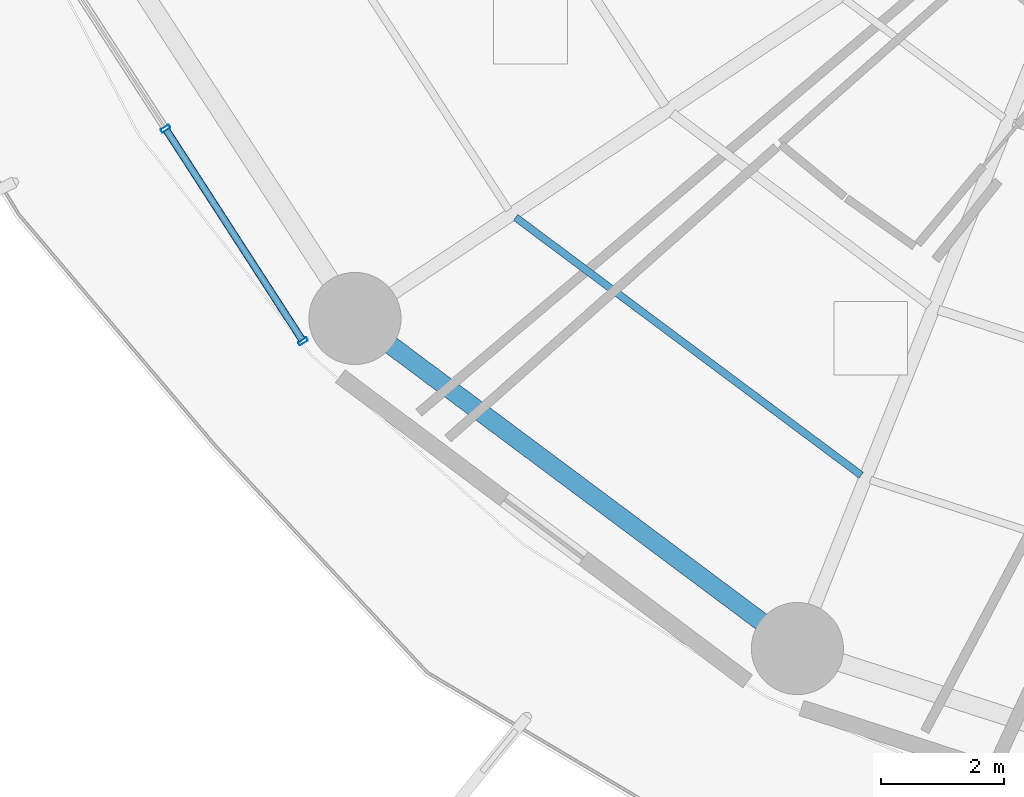
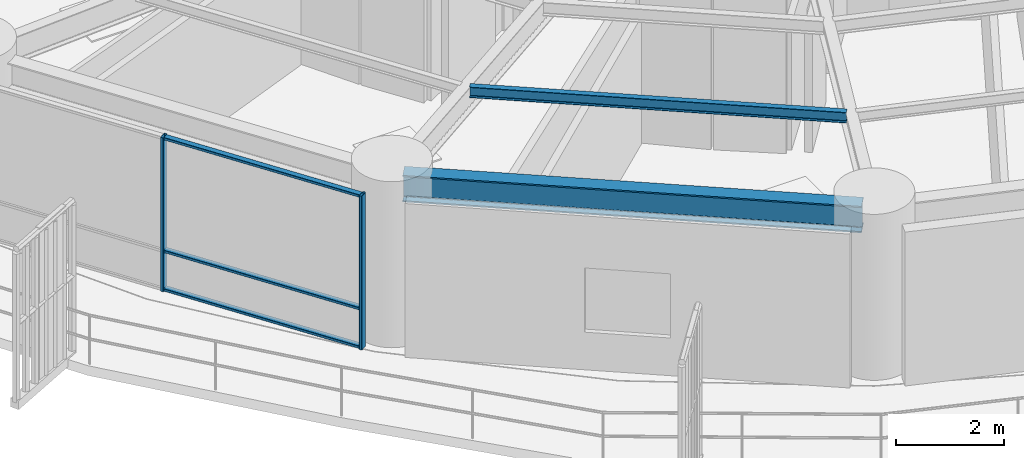
# One storey, part 2 of 33: 5 members, 2 beams, 1 element without a shape of its own.
"""IFC4 building model written with IfcOpenShell, lengths in metres."""

from ifc_helpers import new_model, si_unit, direction, frame, origin, origin_2d, place, context, subcontext, project, spatial, hollow_rectangle, i_section, extrude, material, layer, layer_set, material_profile, profile_set, type_object, element, aggregate, save


model = new_model("IFC4")

# Units and contexts
model_context = context("Model", 3, precision=1e-05, world=origin(), true_north=direction((0.0, 1.0)))
body_context = subcontext(model_context, "Body", "Model", "MODEL_VIEW")
ifc_project = project(units=[si_unit("LENGTHUNIT", "METRE"), si_unit("AREAUNIT", "SQUARE_METRE"), si_unit("VOLUMEUNIT", "CUBIC_METRE"), si_unit("PLANEANGLEUNIT", "RADIAN"), si_unit("MASSUNIT", "GRAM", prefix="KILO")], contexts=[model_context])

# Site, building, storey
site_placement = place(None, origin())
site = spatial("IfcSite", under=ifc_project, at=site_placement, CompositionType="ELEMENT")
building_placement = place(site_placement, origin())
building = spatial("IfcBuilding", under=site, at=building_placement, Name="Kelanora Arch Commons", CompositionType="ELEMENT")
storey_placement = place(building_placement, frame((0.0, 0.0, 37.5)))
storey = spatial("IfcBuildingStorey", under=building, at=storey_placement, Name="L09", CompositionType="ELEMENT", Elevation=37.5)

# Beams
ifc_material_1 = material(Name="Steel S355", Category="steel")
ifc_material_profile_1 = material_profile(ifc_material_1, i_section(OverallWidth=0.1201171875, OverallDepth=0.239990234375, WebThickness=0.006103515625, FlangeThickness=0.009765625, FilletRadius=0.014892578125, at=origin_2d()), Name="IPE240")
ifc_profile_set_1 = profile_set([ifc_material_profile_1], Name="Steel S355")
beam_type_1 = type_object("IfcBeamType", Name="BM-JST-02", PredefinedType="JOIST", material=ifc_profile_set_1)
beam_1_placement = place(storey_placement, frame((55.87255859375, 44.16650390625, 3.3701171875), z_axis=(0.80149131963, -0.598006408459, 0.0), x_axis=(0.598006408459, 0.80149131963, 0.0)))
element("IfcBeam", 1, at=beam_1_placement, inside=storey, type_object=beam_type_1, Name="Secondary Chord Joist BJC-22 L09", PredefinedType="JOIST", context=body_context, shape_type="SweptSolid", body=[
    extrude(i_section(OverallWidth=0.1201171875, OverallDepth=0.239990234375, WebThickness=0.006103515625, FlangeThickness=0.009765625, FilletRadius=0.014892578125, at=origin_2d()), origin(), (0.0, 0.0, 1.0), 7.021240234375),
])
ifc_material_profile_2 = material_profile(ifc_material_1, i_section(OverallWidth=0.300048828125, OverallDepth=0.60009765625, WebThickness=0.015380859375, FlangeThickness=0.030029296875, FilletRadius=0.027099609375, at=origin_2d()), Name="HEB600")
ifc_profile_set_2 = profile_set([ifc_material_profile_2], Name="Steel S355")
beam_type_2 = type_object("IfcBeamType", Name="BM-SPN-Z1", PredefinedType="SPANDREL", material=ifc_profile_set_2)
beam_2_placement = place(storey_placement, frame((53.431884765625, 42.39013671875, 3.18994140625), z_axis=(0.801474585329, -0.598028836322, 0.0), x_axis=(0.598028836322, 0.801474585329, 0.0)))
element("IfcBeam", 2, at=beam_2_placement, inside=storey, type_object=beam_type_2, Name="Perimeter Spandrel Beam BS-22 L09", PredefinedType="SPANDREL", context=body_context, shape_type="SweptSolid", body=[
    extrude(i_section(OverallWidth=0.300048828125, OverallDepth=0.60009765625, WebThickness=0.015380859375, FlangeThickness=0.030029296875, FilletRadius=0.027099609375, at=origin_2d()), origin(), (0.0, 0.0, 1.0), 8.549072265625),
])

# Curtain wall, members
ifc_material_2 = material(Name="Terracotta ceramic-fritted low-E glass and aluminium", Category="masonry")
ifc_layer = layer(ifc_material_2, 0.159912109375)
ifc_layer_set = layer_set([ifc_layer], Name="Terracotta ceramic-fritted low-E glass and aluminium")
curtain_wall_type = type_object("IfcCurtainWallType", Name="CW-SYS-01", PredefinedType="NOTDEFINED", material=ifc_layer_set)
curtain_wall_placement = place(storey_placement, origin())
curtain_wall = element("IfcCurtainWall", 3, at=curtain_wall_placement, inside=storey, type_object=curtain_wall_type, Name="Unitised Curtain Wall L09-B10", PredefinedType="NOTDEFINED")
ifc_material_3 = material(Name="Powder-coated aluminium terracotta", Category="masonry")
ifc_material_profile_3 = material_profile(ifc_material_3, hollow_rectangle(XDim=0.159912109375, YDim=0.06005859375, WallThickness=0.0048828125, InnerFilletRadius=0.0048828125, OuterFilletRadius=0.010009765625, at=origin_2d()), Name="CWM160x60")
ifc_profile_set_3 = profile_set([ifc_material_profile_3], Name="Powder-coated aluminium terracotta")
member_type_1 = type_object("IfcMemberType", Name="CWM-STD", PredefinedType="MULLION", material=ifc_profile_set_3)
member_1_placement = place(storey_placement, frame((50.169189453125, 45.61328125, 0.0), z_axis=(0.0, 0.0, 1.0), x_axis=(0.83972982332, 0.543004441812, 0.0)))
member_1 = element("IfcMember", 4, at=member_1_placement, type_object=member_type_1, Name="CW-01 mullion 2", PredefinedType="MULLION", context=body_context, shape_type="SweptSolid", body=[
    extrude(hollow_rectangle(XDim=0.159912109375, YDim=0.06005859375, WallThickness=0.0048828125, InnerFilletRadius=0.0048828125, OuterFilletRadius=0.010009765625, at=origin_2d()), origin(), (0.0, 0.0, 1.0), 3.47509765625),
])
member_2_placement = place(storey_placement, frame((52.41064453125, 42.14697265625, 0.0), z_axis=(0.0, 0.0, 1.0), x_axis=(0.83972982332, 0.543004441812, 0.0)))
member_2 = element("IfcMember", 5, at=member_2_placement, type_object=member_type_1, Name="CW-01 mullion 3", PredefinedType="MULLION", context=body_context, shape_type="SweptSolid", body=[
    extrude(hollow_rectangle(XDim=0.159912109375, YDim=0.06005859375, WallThickness=0.0048828125, InnerFilletRadius=0.0048828125, OuterFilletRadius=0.010009765625, at=origin_2d()), origin(), (0.0, 0.0, 1.0), 3.47509765625),
])
ifc_material_profile_4 = material_profile(ifc_material_3, hollow_rectangle(XDim=0.1201171875, YDim=0.06005859375, WallThickness=0.0048828125, InnerFilletRadius=0.0048828125, OuterFilletRadius=0.010009765625, at=origin_2d()), Name="CWT120x60")
ifc_profile_set_4 = profile_set([ifc_material_profile_4], Name="Powder-coated aluminium terracotta")
member_type_2 = type_object("IfcMemberType", Name="CWT-STD", PredefinedType="USERDEFINED", material=ifc_profile_set_4)
member_3_placement = place(storey_placement, frame((50.185546875, 45.588134765625, 0.030029296875), z_axis=(0.542997414293, -0.839734367566, 0.0), x_axis=(0.839734367566, 0.542997414293, 0.0)))
member_3 = element("IfcMember", 6, at=member_3_placement, type_object=member_type_2, Name="CW-01 transom 2.1", ObjectType="TRANSOM", PredefinedType="USERDEFINED", context=body_context, shape_type="SweptSolid", body=[
    extrude(hollow_rectangle(XDim=0.1201171875, YDim=0.06005859375, WallThickness=0.0048828125, InnerFilletRadius=0.0048828125, OuterFilletRadius=0.010009765625, at=origin_2d()), origin(), (0.0, 0.0, 1.0), 4.067626953125),
])
member_4_placement = place(storey_placement, frame((50.185546875, 45.588134765625, 0.89990234375), z_axis=(0.542997414293, -0.839734367566, 0.0), x_axis=(0.839734367566, 0.542997414293, 0.0)))
member_4 = element("IfcMember", 7, at=member_4_placement, type_object=member_type_2, Name="CW-01 transom 2.2", ObjectType="TRANSOM", PredefinedType="USERDEFINED", context=body_context, shape_type="SweptSolid", body=[
    extrude(hollow_rectangle(XDim=0.1201171875, YDim=0.06005859375, WallThickness=0.0048828125, InnerFilletRadius=0.0048828125, OuterFilletRadius=0.010009765625, at=origin_2d()), origin(), (0.0, 0.0, 1.0), 4.067626953125),
])
member_5_placement = place(storey_placement, frame((50.185546875, 45.588134765625, 3.445068359375), z_axis=(0.542997414293, -0.839734367566, 0.0), x_axis=(0.839734367566, 0.542997414293, 0.0)))
member_5 = element("IfcMember", 8, at=member_5_placement, type_object=member_type_2, Name="CW-01 transom 2.3", ObjectType="TRANSOM", PredefinedType="USERDEFINED", context=body_context, shape_type="SweptSolid", body=[
    extrude(hollow_rectangle(XDim=0.1201171875, YDim=0.06005859375, WallThickness=0.0048828125, InnerFilletRadius=0.0048828125, OuterFilletRadius=0.010009765625, at=origin_2d()), origin(), (0.0, 0.0, 1.0), 4.067626953125),
])
aggregate(curtain_wall, [member_1, member_2, member_3, member_4, member_5])

save(model, "model.ifc")
